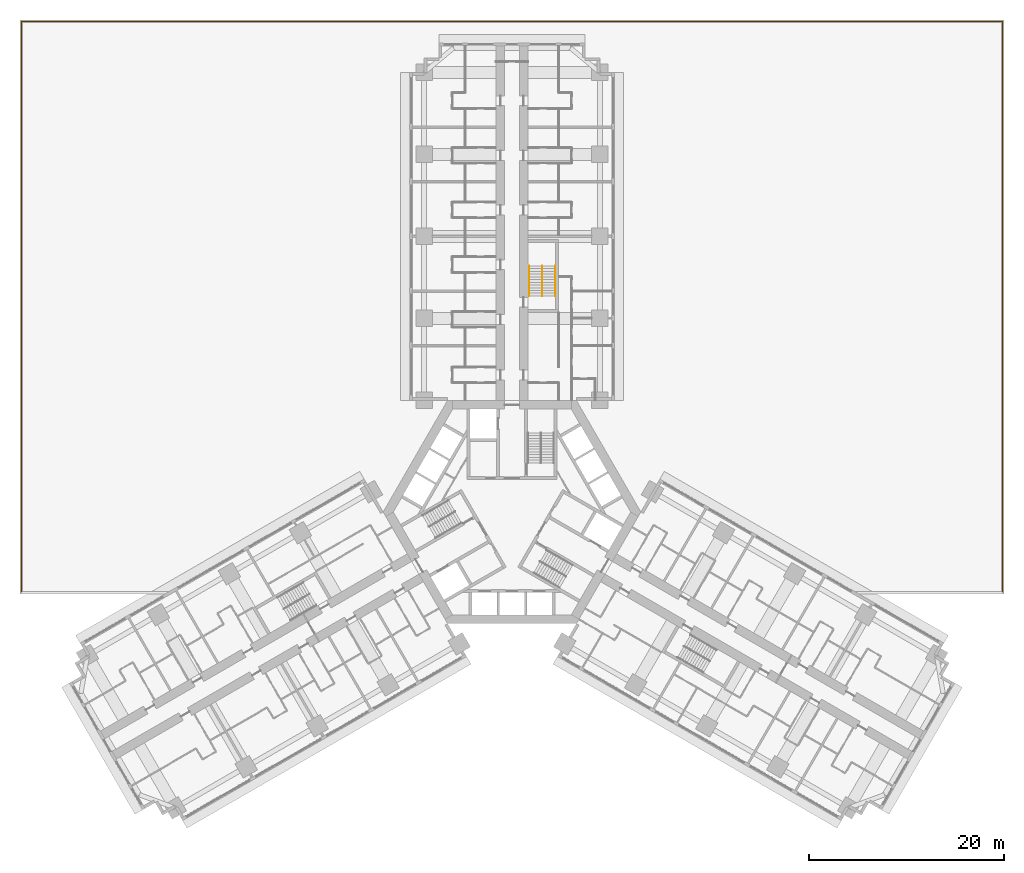
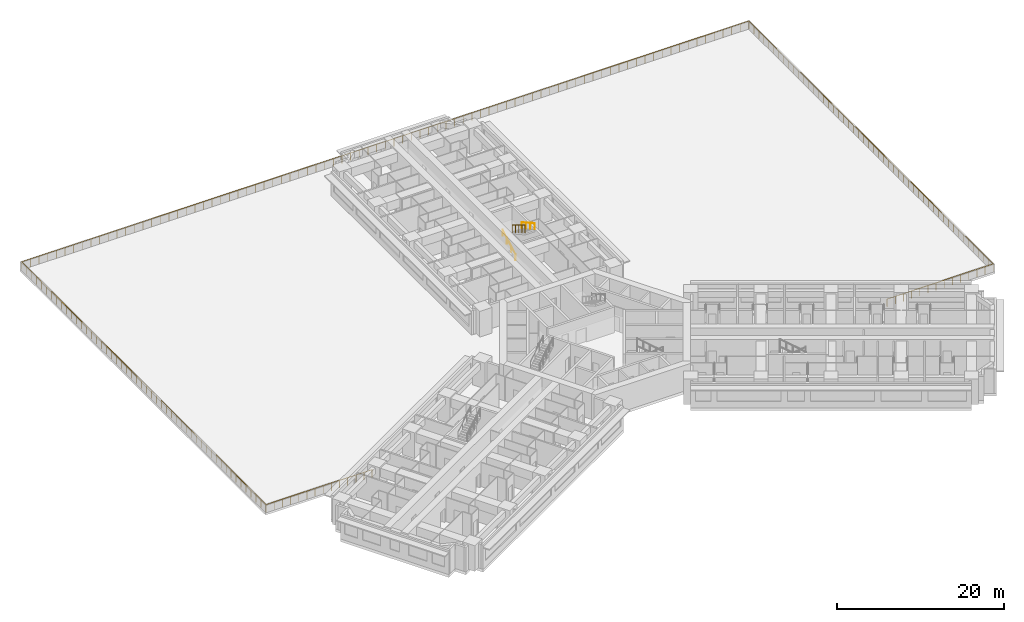
# One storey, part 17 of 18: 4 railings.
"""IFC4 building model written with IfcOpenShell, lengths in metres."""

import ifcopenshell
import ifcopenshell.guid

model = None  # the IFC model being written
_history = None  # IfcOwnerHistory: only IFC2X3 demands one
_inside = {}  # id of a spatial element -> (the spatial element, [elements in it])
_under = {}  # id of a project, library or spatial element -> (it, [spatial elements below it])
_declared = {}  # id of a project -> (the project, [libraries it declares])
_typed = {}  # id of a type object -> (the type object, [elements of that type])
_made_of = {}  # id of a material, layer set ... -> (it, [elements and type objects made of it])


def new_model(schema):
    """Start an empty IFC model of exactly this schema.

    Asked for "IFC4X3", IfcOpenShell would pick the latest addendum, in which some entities
    have other attributes; the version numbers below select the first issue.
    IFC2X3 requires an IfcOwnerHistory on every rooted entity: one is made here for all.
    """
    global model, _history
    if schema == "IFC4X3":
        model = ifcopenshell.file(schema_version=(4, 3, 0, 0))
    else:
        model = ifcopenshell.file(schema=schema)
    _inside.clear()
    _under.clear()
    _declared.clear()
    _typed.clear()
    _made_of.clear()
    _history = None
    if model.schema == "IFC2X3":
        org = make("IfcOrganization", Name="unknown")
        user = make(
            "IfcPersonAndOrganization",
            ThePerson=make("IfcPerson", FamilyName="unknown"),
            TheOrganization=org,
        )
        app = make(
            "IfcApplication",
            ApplicationDeveloper=org,
            Version="unknown",
            ApplicationFullName="unknown",
            ApplicationIdentifier="unknown",
        )
        _history = make(
            "IfcOwnerHistory",
            OwningUser=user,
            OwningApplication=app,
            ChangeAction="ADDED",
            CreationDate=0,
        )
    return model


def make(cls, **values):
    """One entity of the class cls with the attributes given. An attribute that is None is left unset."""
    return model.create_entity(
        cls, **{name: value for name, value in values.items() if value is not None}
    )


def rooted(cls, **values):
    """An entity with a GlobalId (a new one), such as an element, a storey or a relation."""
    return make(cls, GlobalId=ifcopenshell.guid.new(), OwnerHistory=_history, **values)


def si_unit(unit_type, name, prefix=None):
    """IfcSIUnit, for example si_unit("LENGTHUNIT", "METRE", prefix="MILLI")."""
    return make("IfcSIUnit", UnitType=unit_type, Prefix=prefix, Name=name)


def assignment(units):
    """IfcUnitAssignment: the units of a project."""
    return None if units is None else make("IfcUnitAssignment", Units=units)


def point(xyz):
    """IfcCartesianPoint."""
    return None if xyz is None else make("IfcCartesianPoint", Coordinates=xyz)


def direction(xyz):
    """IfcDirection."""
    return None if xyz is None else make("IfcDirection", DirectionRatios=xyz)


def frame(location, z_axis=None, x_axis=None):
    """IfcAxis2Placement3D, a coordinate frame: its origin and axes. An axis left out is left unset."""
    return make(
        "IfcAxis2Placement3D",
        Location=point(location),
        Axis=direction(z_axis),
        RefDirection=direction(x_axis),
    )


def frame_2d(location, x_axis=None):
    """IfcAxis2Placement2D, a coordinate frame in the plane: its origin and x axis."""
    return make(
        "IfcAxis2Placement2D", Location=point(location), RefDirection=direction(x_axis)
    )


def origin():
    """The frame at (0, 0, 0) with its axes left unset."""
    return frame((0.0, 0.0, 0.0))


def origin_2d():
    """The frame at (0, 0) in the plane with its x axis left unset."""
    return frame_2d((0.0, 0.0))


def place(relative_to, where):
    """IfcLocalPlacement: puts the frame where relative to a parent placement (None: the world)."""
    return make(
        "IfcLocalPlacement", PlacementRelTo=relative_to, RelativePlacement=where
    )


def context(
    kind, dimensions, precision=None, world=None, true_north=None, identifier=None
):
    """IfcGeometricRepresentationContext, for example the 3D "Model" context."""
    return make(
        "IfcGeometricRepresentationContext",
        ContextIdentifier=identifier,
        ContextType=kind,
        CoordinateSpaceDimension=dimensions,
        Precision=precision,
        WorldCoordinateSystem=world,
        TrueNorth=true_north,
    )


def subcontext(parent, identifier, kind, view, scale=None):
    """IfcGeometricRepresentationSubContext, for example "Body" below "Model"."""
    return make(
        "IfcGeometricRepresentationSubContext",
        ContextIdentifier=identifier,
        ContextType=kind,
        ParentContext=parent,
        TargetScale=scale,
        TargetView=view,
    )


def project(units=None, contexts=None):
    """IfcProject with its units and contexts."""
    return rooted(
        "IfcProject",
        Name="project",
        RepresentationContexts=contexts,
        UnitsInContext=assignment(units),
    )


def spatial(cls, under=None, at=None, **own):
    """A site, building, storey or space (cls), placed at a placement, below another one or the project."""
    s = rooted(cls, ObjectPlacement=at, **own)
    if under is not None:
        _under.setdefault(under.id(), (under, []))[1].append(s)
    return s


def profile(cls, at=None, kind="AREA", **sizes):
    """A parametric profile (cls). Its sizes go by their IFC names, for example OverallWidth=200.0."""
    return make(cls, ProfileType=kind, Position=at, **sizes)


def circle(**sizes):
    """IfcCircleProfileDef."""
    return profile("IfcCircleProfileDef", **sizes)


def extrude(swept, where, along, depth):
    """IfcExtrudedAreaSolid: the profile swept, set in the frame where, extruded along a direction by depth."""
    return make(
        "IfcExtrudedAreaSolid",
        SweptArea=swept,
        Position=where,
        ExtrudedDirection=direction(along),
        Depth=depth,
    )


def shape(context_of_items, identifier, shape_type, items):
    """IfcShapeRepresentation: the items that make up one representation, for example the "Body"."""
    return make(
        "IfcShapeRepresentation",
        ContextOfItems=context_of_items,
        RepresentationIdentifier=identifier,
        RepresentationType=shape_type,
        Items=items,
    )


def material(Name=None, Category=None):
    """IfcMaterial."""
    return make("IfcMaterial", Name=Name, Category=Category)


def made_of(thing, what):
    """Note that an element or type object is made of a material, layer set ...; save() writes the relation."""
    if what is not None:
        _made_of.setdefault(what.id(), (what, []))[1].append(thing)
    return thing


def type_object(cls, material=None, **own):
    """A type object (cls), such as IfcWallType, which elements share."""
    return made_of(rooted(cls, **own), material)


def element(
    cls,
    number,
    at=None,
    inside=None,
    cuts=None,
    type_object=None,
    material=None,
    context=None,
    identifier="Body",
    shape_type=None,
    held_by="IfcProductDefinitionShape",
    body=None,
    shapes=None,
    **own,
):
    """One element of the class cls, such as IfcWall. Its Tag is "e" and its number.

    at: its placement. inside: the storey or other place that contains it. cuts: it is an
    opening in that element (IfcRelVoidsElement). A single representation is given by context,
    identifier, shape_type and body (its items); several are given by shapes. held_by: the class
    of the entity that holds the representations. save() writes the other relations.
    """
    e = rooted(cls, Tag="e%d" % number, ObjectPlacement=at, **own)
    if body is not None:
        shapes = [shape(context, identifier, shape_type, body)]
    if shapes is not None:
        e.Representation = make(held_by, Representations=shapes)
    if inside is not None:
        _inside.setdefault(inside.id(), (inside, []))[1].append(e)
    if cuts is not None:
        rooted(
            "IfcRelVoidsElement", RelatingBuildingElement=cuts, RelatedOpeningElement=e
        )
    if type_object is not None:
        _typed.setdefault(type_object.id(), (type_object, []))[1].append(e)
    return made_of(e, material)


def aggregate(whole, parts):
    """IfcRelAggregates: a whole, such as a stair, and the parts it consists of."""
    return rooted("IfcRelAggregates", RelatingObject=whole, RelatedObjects=parts)


def save(model, path):
    """Write the relations noted so far, then the file.

    IfcRelAggregates (storeys below a building ...), IfcRelContainedInSpatialStructure (elements
    in a storey), IfcRelDefinesByType, IfcRelAssociatesMaterial and IfcRelDeclares: one each for
    every whole, place, type object, material and project.
    """
    for whole, parts in _under.values():
        aggregate(whole, parts)
    for where, things in _inside.values():
        rooted(
            "IfcRelContainedInSpatialStructure",
            RelatedElements=things,
            RelatingStructure=where,
        )
    for kind, things in _typed.values():
        rooted("IfcRelDefinesByType", RelatedObjects=things, RelatingType=kind)
    for what, things in _made_of.values():
        rooted("IfcRelAssociatesMaterial", RelatedObjects=things, RelatingMaterial=what)
    for by, libraries in _declared.values():
        rooted("IfcRelDeclares", RelatingContext=by, RelatedDefinitions=libraries)
    model.write(path)


model = new_model("IFC4")

# Units and contexts
model_context = context("Model", 3, precision=1e-05, world=origin(), true_north=direction((0.0, 1.0)))
body_context = subcontext(model_context, "Body", "Model", "MODEL_VIEW")
ifc_project = project(units=[si_unit("LENGTHUNIT", "METRE"), si_unit("AREAUNIT", "SQUARE_METRE"), si_unit("VOLUMEUNIT", "CUBIC_METRE"), si_unit("PLANEANGLEUNIT", "RADIAN"), si_unit("MASSUNIT", "GRAM", prefix="KILO")], contexts=[model_context])

# Site, building, storey
site_placement = place(None, origin())
site = spatial("IfcSite", under=ifc_project, at=site_placement, CompositionType="ELEMENT")
building_placement = place(site_placement, origin())
building = spatial("IfcBuilding", under=site, at=building_placement, Name="Impinga Residences", CompositionType="ELEMENT")
storey_placement = place(building_placement, frame((0.0, 0.0, 26.0)))
storey = spatial("IfcBuildingStorey", under=building, at=storey_placement, Name="L05", CompositionType="ELEMENT", Elevation=26.0)

# Railings
ifc_material_1 = material(Name="Steel guard, powder coated", Category="steel")
railing_type_1 = type_object("IfcRailingType", Name="GR1 stair guard 1100", PredefinedType="GUARDRAIL", material=ifc_material_1)
railing_1_placement = place(storey_placement, frame((3.10009765625, 25.21142578125, 1.875)))
element("IfcRailing", 1, at=railing_1_placement, inside=storey, type_object=railing_type_1, Name="Stair guard GR1 WS1 L05", PredefinedType="GUARDRAIL", context=body_context, shape_type="SweptSolid", body=[
    extrude(circle(Radius=0.02392578125, at=origin_2d()), frame((0.0, 0.0, 1.076171875), z_axis=(0.0, -0.854159328187, 0.520011386482), x_axis=(1.0, 0.0, 0.0)), (0.0, 0.0, 1.0), 3.605712890625),
    extrude(circle(Radius=0.02099609375, at=origin_2d()), origin(), (0.0, 0.0, 1.0), 1.052001953125),
    extrude(circle(Radius=0.02099609375, at=origin_2d()), frame((0.0, -0.77001953125, 0.46875)), (0.0, 0.0, 1.0), 1.052001953125),
    extrude(circle(Radius=0.02099609375, at=origin_2d()), frame((0.0, -1.5400390625, 0.9375)), (0.0, 0.0, 1.0), 1.052001953125),
    extrude(circle(Radius=0.02099609375, at=origin_2d()), frame((0.0, -2.309814453125, 1.40625)), (0.0, 0.0, 1.0), 1.052001953125),
    extrude(circle(Radius=0.02099609375, at=origin_2d()), frame((0.0, -3.079833984375, 1.875)), (0.0, 0.0, 1.0), 1.052001953125),
])
ifc_material_2 = material(Name="Laminated glass guard, stainless steel top rail", Category="steel")
railing_type_2 = type_object("IfcRailingType", Name="GT1 terrace guard 1100, glass infill", PredefinedType="GUARDRAIL", material=ifc_material_2)
railing_2_placement = place(storey_placement, frame((-35.59130859375, -8.25, 0.0)))
element("IfcRailing", 2, at=railing_2_placement, inside=storey, type_object=railing_type_2, Name="Terrace guard GT1 L05", PredefinedType="GUARDRAIL", context=body_context, shape_type="SweptSolid", body=[
    extrude(circle(Radius=0.02392578125, at=origin_2d()), frame((0.0, 0.0, 1.076171875), z_axis=(-1.0, 0.0, 0.0), x_axis=(0.0, -1.0, 0.0)), (0.0, 0.0, 1.0), 14.65869140625),
    extrude(circle(Radius=0.02392578125, at=origin_2d()), frame((-14.65869140625, 0.0, 1.076171875), z_axis=(0.0, 1.0, 0.0), x_axis=(-1.0, 0.0, 0.0)), (0.0, 0.0, 1.0), 58.5),
    extrude(circle(Radius=0.02392578125, at=origin_2d()), frame((-14.65869140625, 58.5, 1.076171875), z_axis=(1.0, 0.0, 0.0), x_axis=(0.0, 1.0, 0.0)), (0.0, 0.0, 1.0), 100.5),
    extrude(circle(Radius=0.02392578125, at=origin_2d()), frame((85.84130859375, 58.5, 1.076171875), z_axis=(0.0, -1.0, 0.0), x_axis=(1.0, 0.0, 0.0)), (0.0, 0.0, 1.0), 58.5),
    extrude(circle(Radius=0.02392578125, at=origin_2d()), frame((85.84130859375, 0.0, 1.076171875), z_axis=(-1.0, 0.0, 0.0), x_axis=(0.0, -1.0, 0.0)), (0.0, 0.0, 1.0), 14.65869140625),
    extrude(circle(Radius=0.02099609375, at=origin_2d()), origin(), (0.0, 0.0, 1.0), 1.052001953125),
    extrude(circle(Radius=0.02099609375, at=origin_2d()), frame((-1.127685546875, 0.0, 0.0)), (0.0, 0.0, 1.0), 1.052001953125),
    extrude(circle(Radius=0.02099609375, at=origin_2d()), frame((-2.255126953125, 0.0, 0.0)), (0.0, 0.0, 1.0), 1.052001953125),
    extrude(circle(Radius=0.02099609375, at=origin_2d()), frame((-3.3828125, 0.0, 0.0)), (0.0, 0.0, 1.0), 1.052001953125),
    extrude(circle(Radius=0.02099609375, at=origin_2d()), frame((-4.51025390625, 0.0, 0.0)), (0.0, 0.0, 1.0), 1.052001953125),
    extrude(circle(Radius=0.02099609375, at=origin_2d()), frame((-5.637939453125, 0.0, 0.0)), (0.0, 0.0, 1.0), 1.052001953125),
    extrude(circle(Radius=0.02099609375, at=origin_2d()), frame((-6.765625, 0.0, 0.0)), (0.0, 0.0, 1.0), 1.052001953125),
    extrude(circle(Radius=0.02099609375, at=origin_2d()), frame((-7.89306640625, 0.0, 0.0)), (0.0, 0.0, 1.0), 1.052001953125),
    extrude(circle(Radius=0.02099609375, at=origin_2d()), frame((-9.020751953125, 0.0, 0.0)), (0.0, 0.0, 1.0), 1.052001953125),
    extrude(circle(Radius=0.02099609375, at=origin_2d()), frame((-10.1484375, 0.0, 0.0)), (0.0, 0.0, 1.0), 1.052001953125),
    extrude(circle(Radius=0.02099609375, at=origin_2d()), frame((-11.27587890625, 0.0, 0.0)), (0.0, 0.0, 1.0), 1.052001953125),
    extrude(circle(Radius=0.02099609375, at=origin_2d()), frame((-12.403564453125, 0.0, 0.0)), (0.0, 0.0, 1.0), 1.052001953125),
    extrude(circle(Radius=0.02099609375, at=origin_2d()), frame((-13.531005859375, 0.0, 0.0)), (0.0, 0.0, 1.0), 1.052001953125),
    extrude(circle(Radius=0.02099609375, at=origin_2d()), frame((-14.65869140625, 0.0, 0.0)), (0.0, 0.0, 1.0), 1.052001953125),
    extrude(circle(Radius=0.02099609375, at=origin_2d()), frame((-14.65869140625, 1.19384765625, 0.0)), (0.0, 0.0, 1.0), 1.052001953125),
    extrude(circle(Radius=0.02099609375, at=origin_2d()), frame((-14.65869140625, 2.3876953125, 0.0)), (0.0, 0.0, 1.0), 1.052001953125),
    extrude(circle(Radius=0.02099609375, at=origin_2d()), frame((-14.65869140625, 3.58154296875, 0.0)), (0.0, 0.0, 1.0), 1.052001953125),
    extrude(circle(Radius=0.02099609375, at=origin_2d()), frame((-14.65869140625, 4.775390625, 0.0)), (0.0, 0.0, 1.0), 1.052001953125),
    extrude(circle(Radius=0.02099609375, at=origin_2d()), frame((-14.65869140625, 5.969482421875, 0.0)), (0.0, 0.0, 1.0), 1.052001953125),
    extrude(circle(Radius=0.02099609375, at=origin_2d()), frame((-14.65869140625, 7.163330078125, 0.0)), (0.0, 0.0, 1.0), 1.052001953125),
    extrude(circle(Radius=0.02099609375, at=origin_2d()), frame((-14.65869140625, 8.357177734375, 0.0)), (0.0, 0.0, 1.0), 1.052001953125),
    extrude(circle(Radius=0.02099609375, at=origin_2d()), frame((-14.65869140625, 9.551025390625, 0.0)), (0.0, 0.0, 1.0), 1.052001953125),
    extrude(circle(Radius=0.02099609375, at=origin_2d()), frame((-14.65869140625, 10.744873046875, 0.0)), (0.0, 0.0, 1.0), 1.052001953125),
    extrude(circle(Radius=0.02099609375, at=origin_2d()), frame((-14.65869140625, 11.938720703125, 0.0)), (0.0, 0.0, 1.0), 1.052001953125),
    extrude(circle(Radius=0.02099609375, at=origin_2d()), frame((-14.65869140625, 13.132568359375, 0.0)), (0.0, 0.0, 1.0), 1.052001953125),
    extrude(circle(Radius=0.02099609375, at=origin_2d()), frame((-14.65869140625, 14.326416015625, 0.0)), (0.0, 0.0, 1.0), 1.052001953125),
    extrude(circle(Radius=0.02099609375, at=origin_2d()), frame((-14.65869140625, 15.5205078125, 0.0)), (0.0, 0.0, 1.0), 1.052001953125),
    extrude(circle(Radius=0.02099609375, at=origin_2d()), frame((-14.65869140625, 16.71435546875, 0.0)), (0.0, 0.0, 1.0), 1.052001953125),
    extrude(circle(Radius=0.02099609375, at=origin_2d()), frame((-14.65869140625, 17.908203125, 0.0)), (0.0, 0.0, 1.0), 1.052001953125),
    extrude(circle(Radius=0.02099609375, at=origin_2d()), frame((-14.65869140625, 19.10205078125, 0.0)), (0.0, 0.0, 1.0), 1.052001953125),
    extrude(circle(Radius=0.02099609375, at=origin_2d()), frame((-14.65869140625, 20.2958984375, 0.0)), (0.0, 0.0, 1.0), 1.052001953125),
    extrude(circle(Radius=0.02099609375, at=origin_2d()), frame((-14.65869140625, 21.48974609375, 0.0)), (0.0, 0.0, 1.0), 1.052001953125),
    extrude(circle(Radius=0.02099609375, at=origin_2d()), frame((-14.65869140625, 22.68359375, 0.0)), (0.0, 0.0, 1.0), 1.052001953125),
    extrude(circle(Radius=0.02099609375, at=origin_2d()), frame((-14.65869140625, 23.87744140625, 0.0)), (0.0, 0.0, 1.0), 1.052001953125),
    extrude(circle(Radius=0.02099609375, at=origin_2d()), frame((-14.65869140625, 25.071533203125, 0.0)), (0.0, 0.0, 1.0), 1.052001953125),
    extrude(circle(Radius=0.02099609375, at=origin_2d()), frame((-14.65869140625, 26.265380859375, 0.0)), (0.0, 0.0, 1.0), 1.052001953125),
    extrude(circle(Radius=0.02099609375, at=origin_2d()), frame((-14.65869140625, 27.459228515625, 0.0)), (0.0, 0.0, 1.0), 1.052001953125),
    extrude(circle(Radius=0.02099609375, at=origin_2d()), frame((-14.65869140625, 28.653076171875, 0.0)), (0.0, 0.0, 1.0), 1.052001953125),
    extrude(circle(Radius=0.02099609375, at=origin_2d()), frame((-14.65869140625, 29.846923828125, 0.0)), (0.0, 0.0, 1.0), 1.052001953125),
    extrude(circle(Radius=0.02099609375, at=origin_2d()), frame((-14.65869140625, 31.040771484375, 0.0)), (0.0, 0.0, 1.0), 1.052001953125),
    extrude(circle(Radius=0.02099609375, at=origin_2d()), frame((-14.65869140625, 32.234619140625, 0.0)), (0.0, 0.0, 1.0), 1.052001953125),
    extrude(circle(Radius=0.02099609375, at=origin_2d()), frame((-14.65869140625, 33.428466796875, 0.0)), (0.0, 0.0, 1.0), 1.052001953125),
    extrude(circle(Radius=0.02099609375, at=origin_2d()), frame((-14.65869140625, 34.62255859375, 0.0)), (0.0, 0.0, 1.0), 1.052001953125),
    extrude(circle(Radius=0.02099609375, at=origin_2d()), frame((-14.65869140625, 35.81640625, 0.0)), (0.0, 0.0, 1.0), 1.052001953125),
    extrude(circle(Radius=0.02099609375, at=origin_2d()), frame((-14.65869140625, 37.01025390625, 0.0)), (0.0, 0.0, 1.0), 1.052001953125),
    extrude(circle(Radius=0.02099609375, at=origin_2d()), frame((-14.65869140625, 38.2041015625, 0.0)), (0.0, 0.0, 1.0), 1.052001953125),
    extrude(circle(Radius=0.02099609375, at=origin_2d()), frame((-14.65869140625, 39.39794921875, 0.0)), (0.0, 0.0, 1.0), 1.052001953125),
    extrude(circle(Radius=0.02099609375, at=origin_2d()), frame((-14.65869140625, 40.591796875, 0.0)), (0.0, 0.0, 1.0), 1.052001953125),
    extrude(circle(Radius=0.02099609375, at=origin_2d()), frame((-14.65869140625, 41.78564453125, 0.0)), (0.0, 0.0, 1.0), 1.052001953125),
    extrude(circle(Radius=0.02099609375, at=origin_2d()), frame((-14.65869140625, 42.9794921875, 0.0)), (0.0, 0.0, 1.0), 1.052001953125),
    extrude(circle(Radius=0.02099609375, at=origin_2d()), frame((-14.65869140625, 44.173583984375, 0.0)), (0.0, 0.0, 1.0), 1.052001953125),
    extrude(circle(Radius=0.02099609375, at=origin_2d()), frame((-14.65869140625, 45.367431640625, 0.0)), (0.0, 0.0, 1.0), 1.052001953125),
    extrude(circle(Radius=0.02099609375, at=origin_2d()), frame((-14.65869140625, 46.561279296875, 0.0)), (0.0, 0.0, 1.0), 1.052001953125),
    extrude(circle(Radius=0.02099609375, at=origin_2d()), frame((-14.65869140625, 47.755126953125, 0.0)), (0.0, 0.0, 1.0), 1.052001953125),
    extrude(circle(Radius=0.02099609375, at=origin_2d()), frame((-14.65869140625, 48.948974609375, 0.0)), (0.0, 0.0, 1.0), 1.052001953125),
    extrude(circle(Radius=0.02099609375, at=origin_2d()), frame((-14.65869140625, 50.142822265625, 0.0)), (0.0, 0.0, 1.0), 1.052001953125),
    extrude(circle(Radius=0.02099609375, at=origin_2d()), frame((-14.65869140625, 51.336669921875, 0.0)), (0.0, 0.0, 1.0), 1.052001953125),
    extrude(circle(Radius=0.02099609375, at=origin_2d()), frame((-14.65869140625, 52.530517578125, 0.0)), (0.0, 0.0, 1.0), 1.052001953125),
    extrude(circle(Radius=0.02099609375, at=origin_2d()), frame((-14.65869140625, 53.724609375, 0.0)), (0.0, 0.0, 1.0), 1.052001953125),
    extrude(circle(Radius=0.02099609375, at=origin_2d()), frame((-14.65869140625, 54.91845703125, 0.0)), (0.0, 0.0, 1.0), 1.052001953125),
    extrude(circle(Radius=0.02099609375, at=origin_2d()), frame((-14.65869140625, 56.1123046875, 0.0)), (0.0, 0.0, 1.0), 1.052001953125),
    extrude(circle(Radius=0.02099609375, at=origin_2d()), frame((-14.65869140625, 57.30615234375, 0.0)), (0.0, 0.0, 1.0), 1.052001953125),
    extrude(circle(Radius=0.02099609375, at=origin_2d()), frame((-14.65869140625, 58.5, 0.0)), (0.0, 0.0, 1.0), 1.052001953125),
    extrude(circle(Radius=0.02099609375, at=origin_2d()), frame((-13.462158203125, 58.5, 0.0)), (0.0, 0.0, 1.0), 1.052001953125),
    extrude(circle(Radius=0.02099609375, at=origin_2d()), frame((-12.265869140625, 58.5, 0.0)), (0.0, 0.0, 1.0), 1.052001953125),
    extrude(circle(Radius=0.02099609375, at=origin_2d()), frame((-11.0693359375, 58.5, 0.0)), (0.0, 0.0, 1.0), 1.052001953125),
    extrude(circle(Radius=0.02099609375, at=origin_2d()), frame((-9.873046875, 58.5, 0.0)), (0.0, 0.0, 1.0), 1.052001953125),
    extrude(circle(Radius=0.02099609375, at=origin_2d()), frame((-8.676513671875, 58.5, 0.0)), (0.0, 0.0, 1.0), 1.052001953125),
    extrude(circle(Radius=0.02099609375, at=origin_2d()), frame((-7.480224609375, 58.5, 0.0)), (0.0, 0.0, 1.0), 1.052001953125),
    extrude(circle(Radius=0.02099609375, at=origin_2d()), frame((-6.28369140625, 58.5, 0.0)), (0.0, 0.0, 1.0), 1.052001953125),
    extrude(circle(Radius=0.02099609375, at=origin_2d()), frame((-5.087158203125, 58.5, 0.0)), (0.0, 0.0, 1.0), 1.052001953125),
    extrude(circle(Radius=0.02099609375, at=origin_2d()), frame((-3.890869140625, 58.5, 0.0)), (0.0, 0.0, 1.0), 1.052001953125),
    extrude(circle(Radius=0.02099609375, at=origin_2d()), frame((-2.6943359375, 58.5, 0.0)), (0.0, 0.0, 1.0), 1.052001953125),
    extrude(circle(Radius=0.02099609375, at=origin_2d()), frame((-1.498046875, 58.5, 0.0)), (0.0, 0.0, 1.0), 1.052001953125),
    extrude(circle(Radius=0.02099609375, at=origin_2d()), frame((-0.301513671875, 58.5, 0.0)), (0.0, 0.0, 1.0), 1.052001953125),
    extrude(circle(Radius=0.02099609375, at=origin_2d()), frame((0.894775390625, 58.5, 0.0)), (0.0, 0.0, 1.0), 1.052001953125),
    extrude(circle(Radius=0.02099609375, at=origin_2d()), frame((2.09130859375, 58.5, 0.0)), (0.0, 0.0, 1.0), 1.052001953125),
    extrude(circle(Radius=0.02099609375, at=origin_2d()), frame((3.287841796875, 58.5, 0.0)), (0.0, 0.0, 1.0), 1.052001953125),
    extrude(circle(Radius=0.02099609375, at=origin_2d()), frame((4.484130859375, 58.5, 0.0)), (0.0, 0.0, 1.0), 1.052001953125),
    extrude(circle(Radius=0.02099609375, at=origin_2d()), frame((5.6806640625, 58.5, 0.0)), (0.0, 0.0, 1.0), 1.052001953125),
    extrude(circle(Radius=0.02099609375, at=origin_2d()), frame((6.876953125, 58.5, 0.0)), (0.0, 0.0, 1.0), 1.052001953125),
    extrude(circle(Radius=0.02099609375, at=origin_2d()), frame((8.073486328125, 58.5, 0.0)), (0.0, 0.0, 1.0), 1.052001953125),
    extrude(circle(Radius=0.02099609375, at=origin_2d()), frame((9.269775390625, 58.5, 0.0)), (0.0, 0.0, 1.0), 1.052001953125),
    extrude(circle(Radius=0.02099609375, at=origin_2d()), frame((10.46630859375, 58.5, 0.0)), (0.0, 0.0, 1.0), 1.052001953125),
    extrude(circle(Radius=0.02099609375, at=origin_2d()), frame((11.662841796875, 58.5, 0.0)), (0.0, 0.0, 1.0), 1.052001953125),
    extrude(circle(Radius=0.02099609375, at=origin_2d()), frame((12.859130859375, 58.5, 0.0)), (0.0, 0.0, 1.0), 1.052001953125),
    extrude(circle(Radius=0.02099609375, at=origin_2d()), frame((14.0556640625, 58.5, 0.0)), (0.0, 0.0, 1.0), 1.052001953125),
    extrude(circle(Radius=0.02099609375, at=origin_2d()), frame((15.251953125, 58.5, 0.0)), (0.0, 0.0, 1.0), 1.052001953125),
    extrude(circle(Radius=0.02099609375, at=origin_2d()), frame((16.448486328125, 58.5, 0.0)), (0.0, 0.0, 1.0), 1.052001953125),
    extrude(circle(Radius=0.02099609375, at=origin_2d()), frame((17.644775390625, 58.5, 0.0)), (0.0, 0.0, 1.0), 1.052001953125),
    extrude(circle(Radius=0.02099609375, at=origin_2d()), frame((18.84130859375, 58.5, 0.0)), (0.0, 0.0, 1.0), 1.052001953125),
    extrude(circle(Radius=0.02099609375, at=origin_2d()), frame((20.037841796875, 58.5, 0.0)), (0.0, 0.0, 1.0), 1.052001953125),
    extrude(circle(Radius=0.02099609375, at=origin_2d()), frame((21.234130859375, 58.5, 0.0)), (0.0, 0.0, 1.0), 1.052001953125),
    extrude(circle(Radius=0.02099609375, at=origin_2d()), frame((22.4306640625, 58.5, 0.0)), (0.0, 0.0, 1.0), 1.052001953125),
    extrude(circle(Radius=0.02099609375, at=origin_2d()), frame((23.626953125, 58.5, 0.0)), (0.0, 0.0, 1.0), 1.052001953125),
    extrude(circle(Radius=0.02099609375, at=origin_2d()), frame((24.823486328125, 58.5, 0.0)), (0.0, 0.0, 1.0), 1.052001953125),
    extrude(circle(Radius=0.02099609375, at=origin_2d()), frame((26.019775390625, 58.5, 0.0)), (0.0, 0.0, 1.0), 1.052001953125),
    extrude(circle(Radius=0.02099609375, at=origin_2d()), frame((27.21630859375, 58.5, 0.0)), (0.0, 0.0, 1.0), 1.052001953125),
    extrude(circle(Radius=0.02099609375, at=origin_2d()), frame((28.412841796875, 58.5, 0.0)), (0.0, 0.0, 1.0), 1.052001953125),
    extrude(circle(Radius=0.02099609375, at=origin_2d()), frame((29.609130859375, 58.5, 0.0)), (0.0, 0.0, 1.0), 1.052001953125),
    extrude(circle(Radius=0.02099609375, at=origin_2d()), frame((30.8056640625, 58.5, 0.0)), (0.0, 0.0, 1.0), 1.052001953125),
    extrude(circle(Radius=0.02099609375, at=origin_2d()), frame((32.001953125, 58.5, 0.0)), (0.0, 0.0, 1.0), 1.052001953125),
    extrude(circle(Radius=0.02099609375, at=origin_2d()), frame((33.198486328125, 58.5, 0.0)), (0.0, 0.0, 1.0), 1.052001953125),
    extrude(circle(Radius=0.02099609375, at=origin_2d()), frame((34.394775390625, 58.5, 0.0)), (0.0, 0.0, 1.0), 1.052001953125),
    extrude(circle(Radius=0.02099609375, at=origin_2d()), frame((35.59130859375, 58.5, 0.0)), (0.0, 0.0, 1.0), 1.052001953125),
    extrude(circle(Radius=0.02099609375, at=origin_2d()), frame((36.787841796875, 58.5, 0.0)), (0.0, 0.0, 1.0), 1.052001953125),
    extrude(circle(Radius=0.02099609375, at=origin_2d()), frame((37.984130859375, 58.5, 0.0)), (0.0, 0.0, 1.0), 1.052001953125),
    extrude(circle(Radius=0.02099609375, at=origin_2d()), frame((39.1806640625, 58.5, 0.0)), (0.0, 0.0, 1.0), 1.052001953125),
    extrude(circle(Radius=0.02099609375, at=origin_2d()), frame((40.376953125, 58.5, 0.0)), (0.0, 0.0, 1.0), 1.052001953125),
    extrude(circle(Radius=0.02099609375, at=origin_2d()), frame((41.573486328125, 58.5, 0.0)), (0.0, 0.0, 1.0), 1.052001953125),
    extrude(circle(Radius=0.02099609375, at=origin_2d()), frame((42.769775390625, 58.5, 0.0)), (0.0, 0.0, 1.0), 1.052001953125),
    extrude(circle(Radius=0.02099609375, at=origin_2d()), frame((43.96630859375, 58.5, 0.0)), (0.0, 0.0, 1.0), 1.052001953125),
    extrude(circle(Radius=0.02099609375, at=origin_2d()), frame((45.162841796875, 58.5, 0.0)), (0.0, 0.0, 1.0), 1.052001953125),
    extrude(circle(Radius=0.02099609375, at=origin_2d()), frame((46.359130859375, 58.5, 0.0)), (0.0, 0.0, 1.0), 1.052001953125),
    extrude(circle(Radius=0.02099609375, at=origin_2d()), frame((47.5556640625, 58.5, 0.0)), (0.0, 0.0, 1.0), 1.052001953125),
    extrude(circle(Radius=0.02099609375, at=origin_2d()), frame((48.751953125, 58.5, 0.0)), (0.0, 0.0, 1.0), 1.052001953125),
    extrude(circle(Radius=0.02099609375, at=origin_2d()), frame((49.948486328125, 58.5, 0.0)), (0.0, 0.0, 1.0), 1.052001953125),
    extrude(circle(Radius=0.02099609375, at=origin_2d()), frame((51.144775390625, 58.5, 0.0)), (0.0, 0.0, 1.0), 1.052001953125),
    extrude(circle(Radius=0.02099609375, at=origin_2d()), frame((52.34130859375, 58.5, 0.0)), (0.0, 0.0, 1.0), 1.052001953125),
    extrude(circle(Radius=0.02099609375, at=origin_2d()), frame((53.537841796875, 58.5, 0.0)), (0.0, 0.0, 1.0), 1.052001953125),
    extrude(circle(Radius=0.02099609375, at=origin_2d()), frame((54.734130859375, 58.5, 0.0)), (0.0, 0.0, 1.0), 1.052001953125),
    extrude(circle(Radius=0.02099609375, at=origin_2d()), frame((55.9306640625, 58.5, 0.0)), (0.0, 0.0, 1.0), 1.052001953125),
    extrude(circle(Radius=0.02099609375, at=origin_2d()), frame((57.126953125, 58.5, 0.0)), (0.0, 0.0, 1.0), 1.052001953125),
    extrude(circle(Radius=0.02099609375, at=origin_2d()), frame((58.323486328125, 58.5, 0.0)), (0.0, 0.0, 1.0), 1.052001953125),
    extrude(circle(Radius=0.02099609375, at=origin_2d()), frame((59.519775390625, 58.5, 0.0)), (0.0, 0.0, 1.0), 1.052001953125),
    extrude(circle(Radius=0.02099609375, at=origin_2d()), frame((60.71630859375, 58.5, 0.0)), (0.0, 0.0, 1.0), 1.052001953125),
    extrude(circle(Radius=0.02099609375, at=origin_2d()), frame((61.912841796875, 58.5, 0.0)), (0.0, 0.0, 1.0), 1.052001953125),
    extrude(circle(Radius=0.02099609375, at=origin_2d()), frame((63.109130859375, 58.5, 0.0)), (0.0, 0.0, 1.0), 1.052001953125),
    extrude(circle(Radius=0.02099609375, at=origin_2d()), frame((64.3056640625, 58.5, 0.0)), (0.0, 0.0, 1.0), 1.052001953125),
    extrude(circle(Radius=0.02099609375, at=origin_2d()), frame((65.501953125, 58.5, 0.0)), (0.0, 0.0, 1.0), 1.052001953125),
    extrude(circle(Radius=0.02099609375, at=origin_2d()), frame((66.698486328125, 58.5, 0.0)), (0.0, 0.0, 1.0), 1.052001953125),
    extrude(circle(Radius=0.02099609375, at=origin_2d()), frame((67.894775390625, 58.5, 0.0)), (0.0, 0.0, 1.0), 1.052001953125),
    extrude(circle(Radius=0.02099609375, at=origin_2d()), frame((69.09130859375, 58.5, 0.0)), (0.0, 0.0, 1.0), 1.052001953125),
    extrude(circle(Radius=0.02099609375, at=origin_2d()), frame((70.287841796875, 58.5, 0.0)), (0.0, 0.0, 1.0), 1.052001953125),
    extrude(circle(Radius=0.02099609375, at=origin_2d()), frame((71.484130859375, 58.5, 0.0)), (0.0, 0.0, 1.0), 1.052001953125),
    extrude(circle(Radius=0.02099609375, at=origin_2d()), frame((72.6806640625, 58.5, 0.0)), (0.0, 0.0, 1.0), 1.052001953125),
    extrude(circle(Radius=0.02099609375, at=origin_2d()), frame((73.876953125, 58.5, 0.0)), (0.0, 0.0, 1.0), 1.052001953125),
    extrude(circle(Radius=0.02099609375, at=origin_2d()), frame((75.073486328125, 58.5, 0.0)), (0.0, 0.0, 1.0), 1.052001953125),
    extrude(circle(Radius=0.02099609375, at=origin_2d()), frame((76.269775390625, 58.5, 0.0)), (0.0, 0.0, 1.0), 1.052001953125),
    extrude(circle(Radius=0.02099609375, at=origin_2d()), frame((77.46630859375, 58.5, 0.0)), (0.0, 0.0, 1.0), 1.052001953125),
    extrude(circle(Radius=0.02099609375, at=origin_2d()), frame((78.662841796875, 58.5, 0.0)), (0.0, 0.0, 1.0), 1.052001953125),
    extrude(circle(Radius=0.02099609375, at=origin_2d()), frame((79.859130859375, 58.5, 0.0)), (0.0, 0.0, 1.0), 1.052001953125),
    extrude(circle(Radius=0.02099609375, at=origin_2d()), frame((81.0556640625, 58.5, 0.0)), (0.0, 0.0, 1.0), 1.052001953125),
    extrude(circle(Radius=0.02099609375, at=origin_2d()), frame((82.251953125, 58.5, 0.0)), (0.0, 0.0, 1.0), 1.052001953125),
    extrude(circle(Radius=0.02099609375, at=origin_2d()), frame((83.448486328125, 58.5, 0.0)), (0.0, 0.0, 1.0), 1.052001953125),
    extrude(circle(Radius=0.02099609375, at=origin_2d()), frame((84.644775390625, 58.5, 0.0)), (0.0, 0.0, 1.0), 1.052001953125),
    extrude(circle(Radius=0.02099609375, at=origin_2d()), frame((85.84130859375, 58.5, 0.0)), (0.0, 0.0, 1.0), 1.052001953125),
    extrude(circle(Radius=0.02099609375, at=origin_2d()), frame((85.84130859375, 57.30615234375, 0.0)), (0.0, 0.0, 1.0), 1.052001953125),
    extrude(circle(Radius=0.02099609375, at=origin_2d()), frame((85.84130859375, 56.1123046875, 0.0)), (0.0, 0.0, 1.0), 1.052001953125),
    extrude(circle(Radius=0.02099609375, at=origin_2d()), frame((85.84130859375, 54.91845703125, 0.0)), (0.0, 0.0, 1.0), 1.052001953125),
    extrude(circle(Radius=0.02099609375, at=origin_2d()), frame((85.84130859375, 53.724609375, 0.0)), (0.0, 0.0, 1.0), 1.052001953125),
    extrude(circle(Radius=0.02099609375, at=origin_2d()), frame((85.84130859375, 52.530517578125, 0.0)), (0.0, 0.0, 1.0), 1.052001953125),
    extrude(circle(Radius=0.02099609375, at=origin_2d()), frame((85.84130859375, 51.336669921875, 0.0)), (0.0, 0.0, 1.0), 1.052001953125),
    extrude(circle(Radius=0.02099609375, at=origin_2d()), frame((85.84130859375, 50.142822265625, 0.0)), (0.0, 0.0, 1.0), 1.052001953125),
    extrude(circle(Radius=0.02099609375, at=origin_2d()), frame((85.84130859375, 48.948974609375, 0.0)), (0.0, 0.0, 1.0), 1.052001953125),
    extrude(circle(Radius=0.02099609375, at=origin_2d()), frame((85.84130859375, 47.755126953125, 0.0)), (0.0, 0.0, 1.0), 1.052001953125),
    extrude(circle(Radius=0.02099609375, at=origin_2d()), frame((85.84130859375, 46.561279296875, 0.0)), (0.0, 0.0, 1.0), 1.052001953125),
    extrude(circle(Radius=0.02099609375, at=origin_2d()), frame((85.84130859375, 45.367431640625, 0.0)), (0.0, 0.0, 1.0), 1.052001953125),
    extrude(circle(Radius=0.02099609375, at=origin_2d()), frame((85.84130859375, 44.173583984375, 0.0)), (0.0, 0.0, 1.0), 1.052001953125),
    extrude(circle(Radius=0.02099609375, at=origin_2d()), frame((85.84130859375, 42.9794921875, 0.0)), (0.0, 0.0, 1.0), 1.052001953125),
    extrude(circle(Radius=0.02099609375, at=origin_2d()), frame((85.84130859375, 41.78564453125, 0.0)), (0.0, 0.0, 1.0), 1.052001953125),
    extrude(circle(Radius=0.02099609375, at=origin_2d()), frame((85.84130859375, 40.591796875, 0.0)), (0.0, 0.0, 1.0), 1.052001953125),
    extrude(circle(Radius=0.02099609375, at=origin_2d()), frame((85.84130859375, 39.39794921875, 0.0)), (0.0, 0.0, 1.0), 1.052001953125),
    extrude(circle(Radius=0.02099609375, at=origin_2d()), frame((85.84130859375, 38.2041015625, 0.0)), (0.0, 0.0, 1.0), 1.052001953125),
    extrude(circle(Radius=0.02099609375, at=origin_2d()), frame((85.84130859375, 37.01025390625, 0.0)), (0.0, 0.0, 1.0), 1.052001953125),
    extrude(circle(Radius=0.02099609375, at=origin_2d()), frame((85.84130859375, 35.81640625, 0.0)), (0.0, 0.0, 1.0), 1.052001953125),
    extrude(circle(Radius=0.02099609375, at=origin_2d()), frame((85.84130859375, 34.62255859375, 0.0)), (0.0, 0.0, 1.0), 1.052001953125),
    extrude(circle(Radius=0.02099609375, at=origin_2d()), frame((85.84130859375, 33.428466796875, 0.0)), (0.0, 0.0, 1.0), 1.052001953125),
    extrude(circle(Radius=0.02099609375, at=origin_2d()), frame((85.84130859375, 32.234619140625, 0.0)), (0.0, 0.0, 1.0), 1.052001953125),
    extrude(circle(Radius=0.02099609375, at=origin_2d()), frame((85.84130859375, 31.040771484375, 0.0)), (0.0, 0.0, 1.0), 1.052001953125),
    extrude(circle(Radius=0.02099609375, at=origin_2d()), frame((85.84130859375, 29.846923828125, 0.0)), (0.0, 0.0, 1.0), 1.052001953125),
    extrude(circle(Radius=0.02099609375, at=origin_2d()), frame((85.84130859375, 28.653076171875, 0.0)), (0.0, 0.0, 1.0), 1.052001953125),
    extrude(circle(Radius=0.02099609375, at=origin_2d()), frame((85.84130859375, 27.459228515625, 0.0)), (0.0, 0.0, 1.0), 1.052001953125),
    extrude(circle(Radius=0.02099609375, at=origin_2d()), frame((85.84130859375, 26.265380859375, 0.0)), (0.0, 0.0, 1.0), 1.052001953125),
    extrude(circle(Radius=0.02099609375, at=origin_2d()), frame((85.84130859375, 25.071533203125, 0.0)), (0.0, 0.0, 1.0), 1.052001953125),
    extrude(circle(Radius=0.02099609375, at=origin_2d()), frame((85.84130859375, 23.87744140625, 0.0)), (0.0, 0.0, 1.0), 1.052001953125),
    extrude(circle(Radius=0.02099609375, at=origin_2d()), frame((85.84130859375, 22.68359375, 0.0)), (0.0, 0.0, 1.0), 1.052001953125),
    extrude(circle(Radius=0.02099609375, at=origin_2d()), frame((85.84130859375, 21.48974609375, 0.0)), (0.0, 0.0, 1.0), 1.052001953125),
    extrude(circle(Radius=0.02099609375, at=origin_2d()), frame((85.84130859375, 20.2958984375, 0.0)), (0.0, 0.0, 1.0), 1.052001953125),
    extrude(circle(Radius=0.02099609375, at=origin_2d()), frame((85.84130859375, 19.10205078125, 0.0)), (0.0, 0.0, 1.0), 1.052001953125),
    extrude(circle(Radius=0.02099609375, at=origin_2d()), frame((85.84130859375, 17.908203125, 0.0)), (0.0, 0.0, 1.0), 1.052001953125),
    extrude(circle(Radius=0.02099609375, at=origin_2d()), frame((85.84130859375, 16.71435546875, 0.0)), (0.0, 0.0, 1.0), 1.052001953125),
    extrude(circle(Radius=0.02099609375, at=origin_2d()), frame((85.84130859375, 15.5205078125, 0.0)), (0.0, 0.0, 1.0), 1.052001953125),
    extrude(circle(Radius=0.02099609375, at=origin_2d()), frame((85.84130859375, 14.326416015625, 0.0)), (0.0, 0.0, 1.0), 1.052001953125),
    extrude(circle(Radius=0.02099609375, at=origin_2d()), frame((85.84130859375, 13.132568359375, 0.0)), (0.0, 0.0, 1.0), 1.052001953125),
    extrude(circle(Radius=0.02099609375, at=origin_2d()), frame((85.84130859375, 11.938720703125, 0.0)), (0.0, 0.0, 1.0), 1.052001953125),
    extrude(circle(Radius=0.02099609375, at=origin_2d()), frame((85.84130859375, 10.744873046875, 0.0)), (0.0, 0.0, 1.0), 1.052001953125),
    extrude(circle(Radius=0.02099609375, at=origin_2d()), frame((85.84130859375, 9.551025390625, 0.0)), (0.0, 0.0, 1.0), 1.052001953125),
    extrude(circle(Radius=0.02099609375, at=origin_2d()), frame((85.84130859375, 8.357177734375, 0.0)), (0.0, 0.0, 1.0), 1.052001953125),
    extrude(circle(Radius=0.02099609375, at=origin_2d()), frame((85.84130859375, 7.163330078125, 0.0)), (0.0, 0.0, 1.0), 1.052001953125),
    extrude(circle(Radius=0.02099609375, at=origin_2d()), frame((85.84130859375, 5.969482421875, 0.0)), (0.0, 0.0, 1.0), 1.052001953125),
    extrude(circle(Radius=0.02099609375, at=origin_2d()), frame((85.84130859375, 4.775390625, 0.0)), (0.0, 0.0, 1.0), 1.052001953125),
    extrude(circle(Radius=0.02099609375, at=origin_2d()), frame((85.84130859375, 3.58154296875, 0.0)), (0.0, 0.0, 1.0), 1.052001953125),
    extrude(circle(Radius=0.02099609375, at=origin_2d()), frame((85.84130859375, 2.3876953125, 0.0)), (0.0, 0.0, 1.0), 1.052001953125),
    extrude(circle(Radius=0.02099609375, at=origin_2d()), frame((85.84130859375, 1.19384765625, 0.0)), (0.0, 0.0, 1.0), 1.052001953125),
    extrude(circle(Radius=0.02099609375, at=origin_2d()), frame((85.84130859375, 0.0, 0.0)), (0.0, 0.0, 1.0), 1.052001953125),
    extrude(circle(Radius=0.02099609375, at=origin_2d()), frame((84.713623046875, 0.0, 0.0)), (0.0, 0.0, 1.0), 1.052001953125),
    extrude(circle(Radius=0.02099609375, at=origin_2d()), frame((83.586181640625, 0.0, 0.0)), (0.0, 0.0, 1.0), 1.052001953125),
    extrude(circle(Radius=0.02099609375, at=origin_2d()), frame((82.45849609375, 0.0, 0.0)), (0.0, 0.0, 1.0), 1.052001953125),
    extrude(circle(Radius=0.02099609375, at=origin_2d()), frame((81.3310546875, 0.0, 0.0)), (0.0, 0.0, 1.0), 1.052001953125),
    extrude(circle(Radius=0.02099609375, at=origin_2d()), frame((80.203369140625, 0.0, 0.0)), (0.0, 0.0, 1.0), 1.052001953125),
    extrude(circle(Radius=0.02099609375, at=origin_2d()), frame((79.07568359375, 0.0, 0.0)), (0.0, 0.0, 1.0), 1.052001953125),
    extrude(circle(Radius=0.02099609375, at=origin_2d()), frame((77.9482421875, 0.0, 0.0)), (0.0, 0.0, 1.0), 1.052001953125),
    extrude(circle(Radius=0.02099609375, at=origin_2d()), frame((76.820556640625, 0.0, 0.0)), (0.0, 0.0, 1.0), 1.052001953125),
    extrude(circle(Radius=0.02099609375, at=origin_2d()), frame((75.69287109375, 0.0, 0.0)), (0.0, 0.0, 1.0), 1.052001953125),
    extrude(circle(Radius=0.02099609375, at=origin_2d()), frame((74.5654296875, 0.0, 0.0)), (0.0, 0.0, 1.0), 1.052001953125),
    extrude(circle(Radius=0.02099609375, at=origin_2d()), frame((73.437744140625, 0.0, 0.0)), (0.0, 0.0, 1.0), 1.052001953125),
    extrude(circle(Radius=0.02099609375, at=origin_2d()), frame((72.310302734375, 0.0, 0.0)), (0.0, 0.0, 1.0), 1.052001953125),
    extrude(circle(Radius=0.02099609375, at=origin_2d()), frame((71.1826171875, 0.0, 0.0)), (0.0, 0.0, 1.0), 1.052001953125),
])
ifc_material_3 = material(Name="Steel handrail tube 42 mm, powder coated", Category="steel")
railing_type_3 = type_object("IfcRailingType", Name="HR1 stair handrail, 42 mm steel tube, 900 above the pitch line", PredefinedType="HANDRAIL", material=ifc_material_3)
railing_3_placement = place(storey_placement, frame((1.77099609375, 22.131591796875, 0.15625)))
element("IfcRailing", 3, at=railing_3_placement, inside=storey, type_object=railing_type_3, Name="Stair handrail HR1 WS1 L05", PredefinedType="HANDRAIL", context=body_context, shape_type="SweptSolid", body=[
    extrude(circle(Radius=0.02099609375, at=origin_2d()), frame((0.0, 0.0, 0.87890625), z_axis=(0.0, 0.873225103656, 0.487317061414), x_axis=(-1.0, 0.0, 0.0)), (0.0, 0.0, 1.0), 3.52685546875),
    extrude(circle(Radius=0.012451171875, at=origin_2d()), origin(), (0.0, 0.0, 1.0), 0.85791015625),
    extrude(circle(Radius=0.012451171875, at=origin_2d()), frame((0.0, 1.026611328125, 0.572998046875)), (0.0, 0.0, 1.0), 0.85791015625),
    extrude(circle(Radius=0.012451171875, at=origin_2d()), frame((0.0, 2.05322265625, 1.145751953125)), (0.0, 0.0, 1.0), 0.85791015625),
    extrude(circle(Radius=0.012451171875, at=origin_2d()), frame((0.0, 3.079833984375, 1.71875)), (0.0, 0.0, 1.0), 0.85791015625),
])
railing_4_placement = place(storey_placement, frame((4.428955078125, 25.21142578125, 2.03125)))
element("IfcRailing", 4, at=railing_4_placement, inside=storey, type_object=railing_type_3, Name="Stair handrail HR1 WS1 L05", PredefinedType="HANDRAIL", context=body_context, shape_type="SweptSolid", body=[
    extrude(circle(Radius=0.02099609375, at=origin_2d()), frame((0.0, 0.0, 0.87890625), z_axis=(0.0, -0.873225103656, 0.487317061414), x_axis=(1.0, 0.0, 0.0)), (0.0, 0.0, 1.0), 3.52685546875),
    extrude(circle(Radius=0.012451171875, at=origin_2d()), origin(), (0.0, 0.0, 1.0), 0.85791015625),
    extrude(circle(Radius=0.012451171875, at=origin_2d()), frame((0.0, -1.026611328125, 0.572998046875)), (0.0, 0.0, 1.0), 0.85791015625),
    extrude(circle(Radius=0.012451171875, at=origin_2d()), frame((0.0, -2.05322265625, 1.145751953125)), (0.0, 0.0, 1.0), 0.85791015625),
    extrude(circle(Radius=0.012451171875, at=origin_2d()), frame((0.0, -3.079833984375, 1.71875)), (0.0, 0.0, 1.0), 0.85791015625),
])

save(model, "model.ifc")
